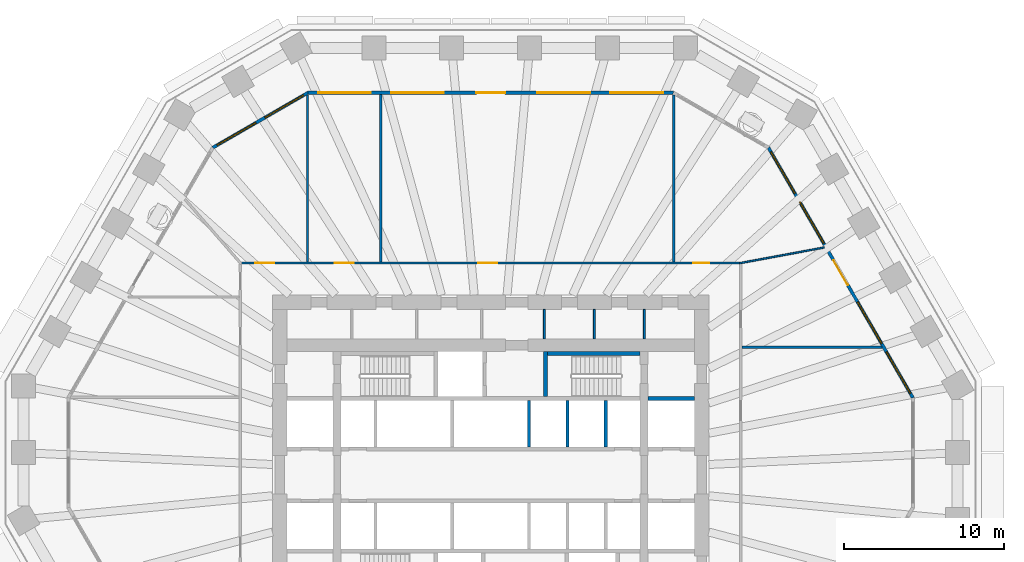
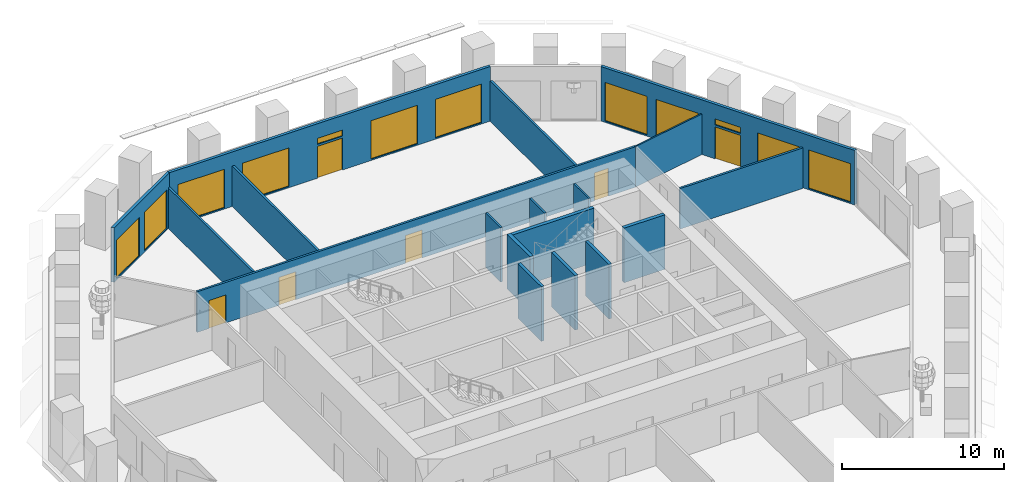
# One storey, part 7 of 12: 18 walls, 12 windows, 6 doors, 18 openings.
"""IFC4 building model written with IfcOpenShell, lengths in metres."""

from ifc_helpers import new_model, si_unit, direction, frame, frame_2d, origin, place, context, subcontext, project, spatial, polyline, rectangle, outline, extrude, material, layer, layer_set, type_object, element, fill, save


model = new_model("IFC4")

# Units and contexts
model_context = context("Model", 3, precision=1e-05, world=origin(), true_north=direction((0.0, 1.0)))
body_context = subcontext(model_context, "Body", "Model", "MODEL_VIEW")
ifc_project = project(units=[si_unit("LENGTHUNIT", "METRE"), si_unit("AREAUNIT", "SQUARE_METRE"), si_unit("VOLUMEUNIT", "CUBIC_METRE"), si_unit("PLANEANGLEUNIT", "RADIAN"), si_unit("MASSUNIT", "GRAM", prefix="KILO")], contexts=[model_context])

# Site, building, storey
site_placement = place(None, origin())
site = spatial("IfcSite", under=ifc_project, at=site_placement, CompositionType="ELEMENT")
building_placement = place(site_placement, origin())
building = spatial("IfcBuilding", under=site, at=building_placement, Name="Frailejon Research Tower", CompositionType="ELEMENT")
storey_placement = place(building_placement, frame((0.0, 0.0, 58.60009765625)))
storey = spatial("IfcBuildingStorey", under=building, at=storey_placement, Name="L13", CompositionType="ELEMENT", Elevation=58.60009765625)

# Walls
ifc_material_1 = material(Name="Plasterboard on steel studs", Category="steel")
ifc_layer_1 = layer(ifc_material_1, 0.125)
ifc_layer_set_1 = layer_set([ifc_layer_1], Name="Core partition 125")
wall_type_1 = type_object("IfcWallType", Name="Core partition 125", PredefinedType="PARTITIONING", material=ifc_layer_set_1)
for number, where, z_axis, x_axis, name in (
    (1, (3.362548828125, 8.5, 0.0), (0.0, 0.0, 1.0), (0.0, 1.0, 0.0), "Core partition"),
    (2, (6.49169921875, 8.5, 0.0), (0.0, 0.0, 1.0), (0.0, 1.0, 0.0), "Core partition"),
    (3, (9.620849609375, 8.5, 0.0), (0.0, 0.0, 1.0), (0.0, 1.0, 0.0), "Core partition"),
):
    element("IfcWall", number, at=place(storey_placement, frame(where, z_axis=z_axis, x_axis=x_axis)), inside=storey, type_object=wall_type_1, Name=name, PredefinedType="PARTITIONING", context=body_context, shape_type="SweptSolid", body=[
        extrude(rectangle(XDim=1.85009765625, YDim=0.125, at=frame_2d((0.925048828125, 0.0))), origin(), (0.0, 0.0, 1.0), 4.099853515625),
    ])

# Wall, openings, doors
ifc_material_2 = material(Name="Gypsum board and masonry partition", Category="masonry")
ifc_layer_2 = layer(ifc_material_2, 0.14990234375)
ifc_layer_set_2 = layer_set([ifc_layer_2], Name="Corridor wall EI 60, gypsum on steel studs 150")
wall_type_2 = type_object("IfcWallType", Name="Corridor wall EI 60, gypsum on steel studs 150", PredefinedType="PARTITIONING", material=ifc_layer_set_2)
wall_1_placement = place(storey_placement, frame((-15.574951171875, 13.25, 0.0), z_axis=(0.0, 0.0, 1.0), x_axis=(1.0, 0.0, 0.0)))
wall_1 = element("IfcWall", 4, at=wall_1_placement, inside=storey, type_object=wall_type_2, Name="T:IW:L13:002", PredefinedType="PARTITIONING", context=body_context, shape_type="SweptSolid", body=[
    extrude(rectangle(XDim=31.175048828125, YDim=0.14990234375, at=frame_2d((15.58740234375, 0.0))), origin(), (0.0, 0.0, 1.0), 3.0498046875),
])
opening_1_placement = place(wall_1_placement, frame((28.251953125, 0.0, 0.0)))
opening_1 = element("IfcOpeningElement", 5, at=opening_1_placement, cuts=wall_1, Name="Opening D1437", PredefinedType="OPENING", context=body_context, shape_type="SweptSolid", body=[
    extrude(rectangle(XDim=1.0, YDim=2.10009765625, at=frame_2d((0.5, 1.050048828125))), frame((0.0, 0.0849609375, 0.0), z_axis=(0.0, -1.0, 0.0), x_axis=(1.0, 0.0, 0.0)), (0.0, 0.0, 1.0), 0.169921875),
])
opening_2_placement = place(wall_1_placement, frame((14.802001953125, 0.0, 0.0)))
opening_2 = element("IfcOpeningElement", 6, at=opening_2_placement, cuts=wall_1, Name="Opening D1438", PredefinedType="OPENING", context=body_context, shape_type="SweptSolid", body=[
    extrude(rectangle(XDim=1.199951171875, YDim=2.10009765625, at=frame_2d((0.60009765625, 1.050048828125))), frame((0.0, 0.0849609375, 0.0), z_axis=(0.0, -1.0, 0.0), x_axis=(1.0, 0.0, 0.0)), (0.0, 0.0, 1.0), 0.169921875),
])
opening_3_placement = place(wall_1_placement, frame((5.8125, 0.0, 0.0)))
opening_3 = element("IfcOpeningElement", 7, at=opening_3_placement, cuts=wall_1, Name="Opening D1439", PredefinedType="OPENING", context=body_context, shape_type="SweptSolid", body=[
    extrude(rectangle(XDim=1.199951171875, YDim=2.10009765625, at=frame_2d((0.60009765625, 1.050048828125))), frame((0.0, 0.0849609375, 0.0), z_axis=(0.0, -1.0, 0.0), x_axis=(1.0, 0.0, 0.0)), (0.0, 0.0, 1.0), 0.169921875),
])
opening_4_placement = place(wall_1_placement, frame((0.84912109375, 0.0, 0.0)))
opening_4 = element("IfcOpeningElement", 8, at=opening_4_placement, cuts=wall_1, Name="Opening D1440", PredefinedType="OPENING", context=body_context, shape_type="SweptSolid", body=[
    extrude(rectangle(XDim=1.199951171875, YDim=2.10009765625, at=frame_2d((0.60009765625, 1.050048828125))), frame((0.0, 0.0849609375, 0.0), z_axis=(0.0, -1.0, 0.0), x_axis=(1.0, 0.0, 0.0)), (0.0, 0.0, 1.0), 0.169921875),
])
ifc_material_3 = material(Name="Timber door leaf", Category="wood")
door_type_1 = type_object("IfcDoorType", Name="Door laboratory, timber, vision panel 1200", OperationType="NOTDEFINED", PredefinedType="DOOR", material=ifc_material_3)
door_1_placement = place(opening_2_placement, origin())
door_1 = element("IfcDoor", 9, at=door_1_placement, inside=storey, type_object=door_type_1, Name="D1438", OperationType="DOUBLE_DOOR_SINGLE_SWING", OverallHeight=2.10009765625, OverallWidth=1.199951171875, PredefinedType="DOOR", context=body_context, shape_type="SweptSolid", body=[
    extrude(rectangle(XDim=1.199951171875, YDim=2.10009765625, at=frame_2d((0.60009765625, 1.050048828125))), frame((0.0, 0.02490234375, 0.0), z_axis=(0.0, -1.0, 0.0), x_axis=(1.0, 0.0, 0.0)), (0.0, 0.0, 1.0), 0.050048828125),
])
fill(opening_2, door_1)
door_2_placement = place(opening_3_placement, origin())
door_2 = element("IfcDoor", 10, at=door_2_placement, inside=storey, type_object=door_type_1, Name="D1439", OperationType="DOUBLE_DOOR_SINGLE_SWING", OverallHeight=2.10009765625, OverallWidth=1.199951171875, PredefinedType="DOOR", context=body_context, shape_type="SweptSolid", body=[
    extrude(rectangle(XDim=1.199951171875, YDim=2.10009765625, at=frame_2d((0.60009765625, 1.050048828125))), frame((0.0, 0.02490234375, 0.0), z_axis=(0.0, -1.0, 0.0), x_axis=(1.0, 0.0, 0.0)), (0.0, 0.0, 1.0), 0.050048828125),
])
fill(opening_3, door_2)
door_3_placement = place(opening_4_placement, origin())
door_3 = element("IfcDoor", 11, at=door_3_placement, inside=storey, type_object=door_type_1, Name="D1440", OperationType="DOUBLE_DOOR_SINGLE_SWING", OverallHeight=2.10009765625, OverallWidth=1.199951171875, PredefinedType="DOOR", context=body_context, shape_type="SweptSolid", body=[
    extrude(rectangle(XDim=1.199951171875, YDim=2.10009765625, at=frame_2d((0.60009765625, 1.050048828125))), frame((0.0, 0.02490234375, 0.0), z_axis=(0.0, -1.0, 0.0), x_axis=(1.0, 0.0, 0.0)), (0.0, 0.0, 1.0), 0.050048828125),
])
fill(opening_4, door_3)
ifc_material_4 = material(Name="Timber door leaf", Category="wood")
door_type_2 = type_object("IfcDoorType", Name="Door single leaf, timber, steel frame 1000", OperationType="NOTDEFINED", PredefinedType="DOOR", material=ifc_material_4)
door_4_placement = place(opening_1_placement, origin())
door_4 = element("IfcDoor", 12, at=door_4_placement, inside=storey, type_object=door_type_2, Name="D1437", OperationType="SINGLE_SWING_LEFT", OverallHeight=2.10009765625, OverallWidth=1.0, PredefinedType="DOOR", context=body_context, shape_type="SweptSolid", body=[
    extrude(rectangle(XDim=1.0, YDim=2.10009765625, at=frame_2d((0.5, 1.050048828125))), frame((0.0, 0.02490234375, 0.0), z_axis=(0.0, -1.0, 0.0), x_axis=(1.0, 0.0, 0.0)), (0.0, 0.0, 1.0), 0.050048828125),
])
fill(opening_1, door_4)

# Walls
ifc_material_5 = material(Name="Gypsum board and masonry partition", Category="masonry")
ifc_layer_3 = layer(ifc_material_5, 0.14990234375)
ifc_layer_set_3 = layer_set([ifc_layer_3], Name="Laboratory partition, blockwork 150")
wall_type_3 = type_object("IfcWallType", Name="Laboratory partition, blockwork 150", PredefinedType="PARTITIONING", material=ifc_layer_set_3)
wall_2_placement = place(storey_placement, frame((15.72509765625, 7.984619140625, 0.0), z_axis=(0.0, 0.0, 1.0), x_axis=(1.0, 0.0, 0.0)))
element("IfcWall", 13, at=wall_2_placement, inside=storey, type_object=wall_type_3, Name="T:IW:L13:005", PredefinedType="PARTITIONING", context=body_context, shape_type="SweptSolid", body=[
    extrude(rectangle(XDim=8.743408203125, YDim=0.14990234375, at=frame_2d((4.37158203125, 0.0))), origin(), (0.0, 0.0, 1.0), 3.0498046875),
])
wall_3_placement = place(storey_placement, frame((11.453125, 13.324951171875, 0.0), z_axis=(0.0, 0.0, 1.0), x_axis=(0.0, 1.0, 0.0)))
element("IfcWall", 14, at=wall_3_placement, inside=storey, type_object=wall_type_3, Name="T:IW:L13:007", PredefinedType="PARTITIONING", context=body_context, shape_type="SweptSolid", body=[
    extrude(rectangle(XDim=10.444091796875, YDim=0.14990234375, at=frame_2d((5.22216796875, 0.0))), origin(), (0.0, 0.0, 1.0), 3.0498046875),
])
wall_4_placement = place(storey_placement, frame((-6.871826171875, 13.324951171875, 0.0), z_axis=(0.0, 0.0, 1.0), x_axis=(0.0, 1.0, 0.0)))
element("IfcWall", 15, at=wall_4_placement, inside=storey, type_object=wall_type_3, Name="T:IW:L13:008", PredefinedType="PARTITIONING", context=body_context, shape_type="SweptSolid", body=[
    extrude(rectangle(XDim=10.47509765625, YDim=0.14990234375, at=frame_2d((5.237548828125, 0.0))), origin(), (0.0, 0.0, 1.0), 3.0498046875),
])
wall_5_placement = place(storey_placement, frame((-11.453125, 13.324951171875, 0.0), z_axis=(0.0, 0.0, 1.0), x_axis=(0.0, 1.0, 0.0)))
element("IfcWall", 16, at=wall_5_placement, inside=storey, type_object=wall_type_3, Name="T:IW:L13:009", PredefinedType="PARTITIONING", context=body_context, shape_type="SweptSolid", body=[
    extrude(rectangle(XDim=10.444091796875, YDim=0.14990234375, at=frame_2d((5.22216796875, 0.0))), origin(), (0.0, 0.0, 1.0), 3.0498046875),
])
ifc_material_6 = material(Name="Gypsum board and masonry partition", Category="masonry")
ifc_layer_4 = layer(ifc_material_6, 0.10009765625)
ifc_layer_set_4 = layer_set([ifc_layer_4], Name="Partition, gypsum on steel studs 100")
wall_type_4 = type_object("IfcWallType", Name="Partition, gypsum on steel studs 100", PredefinedType="PARTITIONING", material=ifc_layer_set_4)
wall_6_placement = place(storey_placement, frame((15.576416015625, 13.236328125, 0.0), z_axis=(0.0, 0.0, 1.0), x_axis=(0.983108608108, 0.183023126037, 0.0)))
element("IfcWall", 17, at=wall_6_placement, inside=storey, type_object=wall_type_4, Name="T:IW:L13:016", PredefinedType="PARTITIONING", context=body_context, shape_type="SweptSolid", body=[
    extrude(rectangle(XDim=5.38232421875, YDim=0.10009765625, at=frame_2d((2.691162109375, 0.0))), origin(), (0.0, 0.0, 1.0), 3.0498046875),
])
ifc_material_7 = material(Name="Concrete C70/85", Category="concrete")
ifc_layer_5 = layer(ifc_material_7, 0.199951171875)
ifc_layer_set_5 = layer_set([ifc_layer_5], Name="Shaft wall 200 C70/85")
wall_type_5 = type_object("IfcWallType", Name="Shaft wall 200 C70/85", PredefinedType="SOLIDWALL", material=ifc_layer_set_5)
for number, where, z_axis, x_axis, name in (
    (18, (2.39990234375, 1.75, 0.0), (0.0, 0.0, 1.0), (0.0, 1.0, 0.0), "Shaft wall"),
    (19, (4.800048828125, 1.75, 0.0), (0.0, 0.0, 1.0), (0.0, 1.0, 0.0), "Shaft wall"),
    (20, (7.199951171875, 1.75, 0.0), (0.0, 0.0, 1.0), (0.0, 1.0, 0.0), "Shaft wall"),
):
    element("IfcWall", number, at=place(storey_placement, frame(where, z_axis=z_axis, x_axis=x_axis)), inside=storey, type_object=wall_type_5, Name=name, PredefinedType="SOLIDWALL", context=body_context, shape_type="SweptSolid", body=[
        extrude(rectangle(XDim=2.89990234375, YDim=0.199951171875, at=frame_2d((1.449951171875, 0.0))), origin(), (0.0, 0.0, 1.0), 4.099853515625),
    ])
ifc_material_8 = material(Name="Concrete C70/85", Category="concrete")
ifc_layer_6 = layer(ifc_material_8, 0.25)
ifc_layer_set_6 = layer_set([ifc_layer_6], Name="Shaft wall 250 C70/85")
wall_type_6 = type_object("IfcWallType", Name="Shaft wall 250 C70/85", PredefinedType="SOLIDWALL", material=ifc_layer_set_6)
wall_7_placement = place(storey_placement, frame((9.85009765625, 4.77490234375, 0.0), z_axis=(0.0, 0.0, 1.0), x_axis=(1.0, 0.0, 0.0)))
element("IfcWall", 21, at=wall_7_placement, inside=storey, type_object=wall_type_6, Name="Shaft wall", PredefinedType="SOLIDWALL", context=body_context, shape_type="SweptSolid", body=[
    extrude(rectangle(XDim=2.89990234375, YDim=0.25, at=frame_2d((1.449951171875, 0.0))), origin(), (0.0, 0.0, 1.0), 4.099853515625),
])
wall_8_placement = place(storey_placement, frame((3.550048828125, 7.574951171875, 0.0), z_axis=(0.0, 0.0, 1.0), x_axis=(1.0, 0.0, 0.0)))
element("IfcWall", 22, at=wall_8_placement, inside=storey, type_object=wall_type_6, Name="Shaft wall", PredefinedType="SOLIDWALL", context=body_context, shape_type="SweptSolid", body=[
    extrude(rectangle(XDim=5.800048828125, YDim=0.25, at=frame_2d((2.89990234375, 0.0))), origin(), (0.0, 0.0, 1.0), 4.099853515625),
])
wall_9_placement = place(storey_placement, frame((3.425048828125, 4.89990234375, 0.0), z_axis=(0.0, 0.0, 1.0), x_axis=(0.0, 1.0, 0.0)))
element("IfcWall", 23, at=wall_9_placement, inside=storey, type_object=wall_type_6, Name="Shaft wall", PredefinedType="SOLIDWALL", context=body_context, shape_type="SweptSolid", body=[
    extrude(rectangle(XDim=2.800048828125, YDim=0.25, at=frame_2d((1.39990234375, 0.0))), origin(), (0.0, 0.0, 1.0), 4.099853515625),
])

# Wall, openings, door, windows
ifc_material_9 = material(Name="Concrete C40/50 precast window wall panel", Category="concrete")
ifc_layer_7 = layer(ifc_material_9, 0.199951171875)
ifc_layer_set_7 = layer_set([ifc_layer_7], Name="Window wall 200")
wall_type_7 = type_object("IfcWallType", Name="Window wall 200", PredefinedType="SOLIDWALL", material=ifc_layer_set_7)
wall_10_placement = place(storey_placement, frame((26.4111328125, 4.820068359375, 0.0), z_axis=(0.0, 0.0, 1.0), x_axis=(-0.500000137386, 0.866025324465, 0.0)))
wall_10 = element("IfcWall", 24, at=wall_10_placement, inside=storey, type_object=wall_type_7, Name="Exterior wall L13", PredefinedType="SOLIDWALL", context=body_context, shape_type="SweptSolid", body=[
    extrude(outline(polyline([(-0.02685546875, -0.10009765625), (0.9794921875, -0.10009765625), (1.986083984375, -0.10009765625), (2.992431640625, -0.10009765625), (3.9990234375, -0.10009765625), (5.00537109375, -0.10009765625), (6.011962890625, -0.10009765625), (7.018310546875, -0.10009765625), (8.02490234375, -0.10009765625), (9.03125, -0.10009765625), (10.03759765625, -0.10009765625), (11.044189453125, -0.10009765625), (12.050537109375, -0.10009765625), (13.05712890625, -0.10009765625), (14.0634765625, -0.10009765625), (15.070068359375, -0.10009765625), (16.076416015625, -0.10009765625), (17.0830078125, -0.10009765625), (18.08935546875, -0.10009765625), (18.03564453125, 0.10009765625), (17.03515625, 0.10009765625), (16.03466796875, 0.10009765625), (15.0341796875, 0.10009765625), (14.03369140625, 0.10009765625), (13.033203125, 0.10009765625), (12.03271484375, 0.10009765625), (11.0322265625, 0.10009765625), (10.03173828125, 0.10009765625), (9.03125, 0.10009765625), (8.03076171875, 0.10009765625), (7.0302734375, 0.10009765625), (6.02978515625, 0.10009765625), (5.029296875, 0.10009765625), (4.02880859375, 0.10009765625), (3.0283203125, 0.10009765625), (2.02783203125, 0.10009765625), (1.02734375, 0.10009765625), (0.02685546875, 0.10009765625), (-0.02685546875, -0.10009765625)])), origin(), (0.0, 0.0, 1.0), 4.099853515625),
])
opening_5_placement = place(wall_10_placement, frame((0.306396484375, 0.0, 0.10009765625)))
opening_5 = element("IfcOpeningElement", 25, at=opening_5_placement, cuts=wall_10, Name="Opening W4", PredefinedType="OPENING", context=body_context, shape_type="SweptSolid", body=[
    extrude(rectangle(XDim=3.0, YDim=2.89990234375, at=frame_2d((1.5, 1.449951171875))), frame((0.0, 0.10986328125, 0.0), z_axis=(0.0, -1.0, 0.0), x_axis=(1.0, 0.0, 0.0)), (0.0, 0.0, 1.0), 0.219970703125),
])
opening_6_placement = place(wall_10_placement, frame((3.918701171875, 0.0, 0.10009765625)))
opening_6 = element("IfcOpeningElement", 26, at=opening_6_placement, cuts=wall_10, Name="Opening W4", PredefinedType="OPENING", context=body_context, shape_type="SweptSolid", body=[
    extrude(rectangle(XDim=3.0, YDim=2.89990234375, at=frame_2d((1.5, 1.449951171875))), frame((0.0, 0.10986328125, 0.0), z_axis=(0.0, -1.0, 0.0), x_axis=(1.0, 0.0, 0.0)), (0.0, 0.0, 1.0), 0.219970703125),
])
opening_7_placement = place(wall_10_placement, frame((8.13134765625, 0.0, 0.0)))
opening_7 = element("IfcOpeningElement", 27, at=opening_7_placement, cuts=wall_10, Name="Opening LG13-1", PredefinedType="OPENING", context=body_context, shape_type="SweptSolid", body=[
    extrude(rectangle(XDim=1.800048828125, YDim=2.39990234375, at=frame_2d((0.89990234375, 1.199951171875))), frame((0.0, 0.10986328125, 0.0), z_axis=(0.0, -1.0, 0.0), x_axis=(1.0, 0.0, 0.0)), (0.0, 0.0, 1.0), 0.219970703125),
])
opening_8_placement = place(wall_10_placement, frame((8.13134765625, 0.0, 2.550048828125)))
opening_8 = element("IfcOpeningElement", 28, at=opening_8_placement, cuts=wall_10, Name="Opening W1", PredefinedType="OPENING", context=body_context, shape_type="SweptSolid", body=[
    extrude(rectangle(XDim=1.800048828125, YDim=0.449951171875, at=frame_2d((0.89990234375, 0.22509765625))), frame((0.0, 0.10986328125, 0.0), z_axis=(0.0, -1.0, 0.0), x_axis=(1.0, 0.0, 0.0)), (0.0, 0.0, 1.0), 0.219970703125),
])
opening_9_placement = place(wall_10_placement, frame((11.143798828125, 0.0, 0.10009765625)))
opening_9 = element("IfcOpeningElement", 29, at=opening_9_placement, cuts=wall_10, Name="Opening W4", PredefinedType="OPENING", context=body_context, shape_type="SweptSolid", body=[
    extrude(rectangle(XDim=3.0, YDim=2.89990234375, at=frame_2d((1.5, 1.449951171875))), frame((0.0, 0.10986328125, 0.0), z_axis=(0.0, -1.0, 0.0), x_axis=(1.0, 0.0, 0.0)), (0.0, 0.0, 1.0), 0.219970703125),
])
opening_10_placement = place(wall_10_placement, frame((14.75634765625, 0.0, 0.10009765625)))
opening_10 = element("IfcOpeningElement", 30, at=opening_10_placement, cuts=wall_10, Name="Opening W4", PredefinedType="OPENING", context=body_context, shape_type="SweptSolid", body=[
    extrude(rectangle(XDim=3.0, YDim=2.89990234375, at=frame_2d((1.5, 1.449951171875))), frame((0.0, 0.10986328125, 0.0), z_axis=(0.0, -1.0, 0.0), x_axis=(1.0, 0.0, 0.0)), (0.0, 0.0, 1.0), 0.219970703125),
])
ifc_material_10 = material(Name="Aluminium framed glazed door leaf", Category="aluminium")
door_type_3 = type_object("IfcDoorType", Name="Loggia door 1800x2400", OperationType="DOUBLE_DOOR_SINGLE_SWING", PredefinedType="DOOR", material=ifc_material_10)
door_5_placement = place(opening_7_placement, origin())
door_5 = element("IfcDoor", 31, at=door_5_placement, inside=storey, type_object=door_type_3, Name="Door LG13-1", OperationType="DOUBLE_DOOR_SINGLE_SWING", OverallHeight=2.39990234375, OverallWidth=1.800048828125, PredefinedType="DOOR", context=body_context, shape_type="SweptSolid", body=[
    extrude(rectangle(XDim=1.800048828125, YDim=2.39990234375, at=frame_2d((0.89990234375, 1.199951171875))), frame((0.0, 0.02490234375, 0.0), z_axis=(0.0, -1.0, 0.0), x_axis=(1.0, 0.0, 0.0)), (0.0, 0.0, 1.0), 0.050048828125),
])
fill(opening_7, door_5)
ifc_material_11 = material(Name="Aluminium framed double glazing", Category="aluminium")
window_type_1 = type_object("IfcWindowType", Name="Window 1800x450", PartitioningType="SINGLE_PANEL", PredefinedType="WINDOW", material=ifc_material_11)
window_1_placement = place(opening_8_placement, origin())
window_1 = element("IfcWindow", 32, at=window_1_placement, inside=storey, type_object=window_type_1, Name="Window L13", OverallHeight=0.449951171875, OverallWidth=1.800048828125, PartitioningType="SINGLE_PANEL", PredefinedType="WINDOW", context=body_context, shape_type="SweptSolid", body=[
    extrude(rectangle(XDim=1.800048828125, YDim=0.449951171875, at=frame_2d((0.89990234375, 0.22509765625))), frame((0.0, 0.030029296875, 0.0), z_axis=(0.0, -1.0, 0.0), x_axis=(1.0, 0.0, 0.0)), (0.0, 0.0, 1.0), 0.06005859375),
])
fill(opening_8, window_1)
ifc_material_12 = material(Name="Aluminium framed double glazing", Category="aluminium")
window_type_2 = type_object("IfcWindowType", Name="Window 3000x2900", PartitioningType="SINGLE_PANEL", PredefinedType="WINDOW", material=ifc_material_12)
window_2_placement = place(opening_5_placement, origin())
window_2 = element("IfcWindow", 33, at=window_2_placement, inside=storey, type_object=window_type_2, Name="Window L13", OverallHeight=2.89990234375, OverallWidth=3.0, PartitioningType="SINGLE_PANEL", PredefinedType="WINDOW", context=body_context, shape_type="SweptSolid", body=[
    extrude(rectangle(XDim=3.0, YDim=2.89990234375, at=frame_2d((1.5, 1.449951171875))), frame((0.0, 0.030029296875, 0.0), z_axis=(0.0, -1.0, 0.0), x_axis=(1.0, 0.0, 0.0)), (0.0, 0.0, 1.0), 0.06005859375),
])
fill(opening_5, window_2)
window_3_placement = place(opening_6_placement, origin())
window_3 = element("IfcWindow", 34, at=window_3_placement, inside=storey, type_object=window_type_2, Name="Window L13", OverallHeight=2.89990234375, OverallWidth=3.0, PartitioningType="SINGLE_PANEL", PredefinedType="WINDOW", context=body_context, shape_type="SweptSolid", body=[
    extrude(rectangle(XDim=3.0, YDim=2.89990234375, at=frame_2d((1.5, 1.449951171875))), frame((0.0, 0.030029296875, 0.0), z_axis=(0.0, -1.0, 0.0), x_axis=(1.0, 0.0, 0.0)), (0.0, 0.0, 1.0), 0.06005859375),
])
fill(opening_6, window_3)
window_4_placement = place(opening_9_placement, origin())
window_4 = element("IfcWindow", 35, at=window_4_placement, inside=storey, type_object=window_type_2, Name="Window L13", OverallHeight=2.89990234375, OverallWidth=3.0, PartitioningType="SINGLE_PANEL", PredefinedType="WINDOW", context=body_context, shape_type="SweptSolid", body=[
    extrude(rectangle(XDim=3.0, YDim=2.89990234375, at=frame_2d((1.5, 1.449951171875))), frame((0.0, 0.030029296875, 0.0), z_axis=(0.0, -1.0, 0.0), x_axis=(1.0, 0.0, 0.0)), (0.0, 0.0, 1.0), 0.06005859375),
])
fill(opening_9, window_4)
window_5_placement = place(opening_10_placement, origin())
window_5 = element("IfcWindow", 36, at=window_5_placement, inside=storey, type_object=window_type_2, Name="Window L13", OverallHeight=2.89990234375, OverallWidth=3.0, PartitioningType="SINGLE_PANEL", PredefinedType="WINDOW", context=body_context, shape_type="SweptSolid", body=[
    extrude(rectangle(XDim=3.0, YDim=2.89990234375, at=frame_2d((1.5, 1.449951171875))), frame((0.0, 0.030029296875, 0.0), z_axis=(0.0, -1.0, 0.0), x_axis=(1.0, 0.0, 0.0)), (0.0, 0.0, 1.0), 0.06005859375),
])
fill(opening_10, window_5)

wall_11_placement = place(storey_placement, frame((11.42626953125, 23.89990234375, 0.0), z_axis=(0.0, 0.0, 1.0), x_axis=(-1.0, 0.0, 0.0)))
wall_11 = element("IfcWall", 37, at=wall_11_placement, inside=storey, type_object=wall_type_7, Name="Exterior wall L13", PredefinedType="SOLIDWALL", context=body_context, shape_type="SweptSolid", body=[
    extrude(outline(polyline([(-0.02685546875, -0.10009765625), (1.014404296875, -0.10009765625), (2.055419921875, -0.10009765625), (3.0966796875, -0.10009765625), (4.137939453125, -0.10009765625), (5.17919921875, -0.10009765625), (6.22021484375, -0.10009765625), (7.261474609375, -0.10009765625), (8.302734375, -0.10009765625), (9.343994140625, -0.10009765625), (10.385009765625, -0.10009765625), (11.42626953125, -0.10009765625), (12.467529296875, -0.10009765625), (13.508544921875, -0.10009765625), (14.5498046875, -0.10009765625), (15.591064453125, -0.10009765625), (16.63232421875, -0.10009765625), (17.67333984375, -0.10009765625), (18.714599609375, -0.10009765625), (19.755859375, -0.10009765625), (20.797119140625, -0.10009765625), (21.838134765625, -0.10009765625), (22.87939453125, -0.10009765625), (22.82568359375, 0.10009765625), (21.789306640625, 0.10009765625), (20.753173828125, 0.10009765625), (19.716796875, 0.10009765625), (18.680419921875, 0.10009765625), (17.64404296875, 0.10009765625), (16.60791015625, 0.10009765625), (15.571533203125, 0.10009765625), (14.53515625, 0.10009765625), (13.498779296875, 0.10009765625), (12.462646484375, 0.10009765625), (11.42626953125, 0.10009765625), (10.389892578125, 0.10009765625), (9.353759765625, 0.10009765625), (8.3173828125, 0.10009765625), (7.281005859375, 0.10009765625), (6.24462890625, 0.10009765625), (5.20849609375, 0.10009765625), (4.172119140625, 0.10009765625), (3.1357421875, 0.10009765625), (2.099365234375, 0.10009765625), (1.063232421875, 0.10009765625), (0.02685546875, 0.10009765625), (-0.02685546875, -0.10009765625)])), origin(), (0.0, 0.0, 1.0), 4.099853515625),
])
opening_11_placement = place(wall_11_placement, frame((0.63525390625, 0.0, 0.10009765625)))
opening_11 = element("IfcOpeningElement", 38, at=opening_11_placement, cuts=wall_11, Name="Opening W5", PredefinedType="OPENING", context=body_context, shape_type="SweptSolid", body=[
    extrude(rectangle(XDim=3.300048828125, YDim=2.89990234375, at=frame_2d((1.64990234375, 1.449951171875))), frame((0.0, 0.10986328125, 0.0), z_axis=(0.0, -1.0, 0.0), x_axis=(1.0, 0.0, 0.0)), (0.0, 0.0, 1.0), 0.219970703125),
])
opening_12_placement = place(wall_11_placement, frame((5.205810546875, 0.0, 0.10009765625)))
opening_12 = element("IfcOpeningElement", 39, at=opening_12_placement, cuts=wall_11, Name="Opening W5", PredefinedType="OPENING", context=body_context, shape_type="SweptSolid", body=[
    extrude(rectangle(XDim=3.300048828125, YDim=2.89990234375, at=frame_2d((1.64990234375, 1.449951171875))), frame((0.0, 0.10986328125, 0.0), z_axis=(0.0, -1.0, 0.0), x_axis=(1.0, 0.0, 0.0)), (0.0, 0.0, 1.0), 0.219970703125),
])
opening_13_placement = place(wall_11_placement, frame((10.5263671875, 0.0, 0.0)))
opening_13 = element("IfcOpeningElement", 40, at=opening_13_placement, cuts=wall_11, Name="Opening LG13-2", PredefinedType="OPENING", context=body_context, shape_type="SweptSolid", body=[
    extrude(rectangle(XDim=1.800048828125, YDim=2.39990234375, at=frame_2d((0.89990234375, 1.199951171875))), frame((0.0, 0.10986328125, 0.0), z_axis=(0.0, -1.0, 0.0), x_axis=(1.0, 0.0, 0.0)), (0.0, 0.0, 1.0), 0.219970703125),
])
opening_14_placement = place(wall_11_placement, frame((10.5263671875, 0.0, 2.550048828125)))
opening_14 = element("IfcOpeningElement", 41, at=opening_14_placement, cuts=wall_11, Name="Opening W1", PredefinedType="OPENING", context=body_context, shape_type="SweptSolid", body=[
    extrude(rectangle(XDim=1.800048828125, YDim=0.449951171875, at=frame_2d((0.89990234375, 0.22509765625))), frame((0.0, 0.10986328125, 0.0), z_axis=(0.0, -1.0, 0.0), x_axis=(1.0, 0.0, 0.0)), (0.0, 0.0, 1.0), 0.219970703125),
])
opening_15_placement = place(wall_11_placement, frame((14.3466796875, 0.0, 0.10009765625)))
opening_15 = element("IfcOpeningElement", 42, at=opening_15_placement, cuts=wall_11, Name="Opening W5", PredefinedType="OPENING", context=body_context, shape_type="SweptSolid", body=[
    extrude(rectangle(XDim=3.300048828125, YDim=2.89990234375, at=frame_2d((1.64990234375, 1.449951171875))), frame((0.0, 0.10986328125, 0.0), z_axis=(0.0, -1.0, 0.0), x_axis=(1.0, 0.0, 0.0)), (0.0, 0.0, 1.0), 0.219970703125),
])
opening_16_placement = place(wall_11_placement, frame((18.917236328125, 0.0, 0.10009765625)))
opening_16 = element("IfcOpeningElement", 43, at=opening_16_placement, cuts=wall_11, Name="Opening W5", PredefinedType="OPENING", context=body_context, shape_type="SweptSolid", body=[
    extrude(rectangle(XDim=3.300048828125, YDim=2.89990234375, at=frame_2d((1.64990234375, 1.449951171875))), frame((0.0, 0.10986328125, 0.0), z_axis=(0.0, -1.0, 0.0), x_axis=(1.0, 0.0, 0.0)), (0.0, 0.0, 1.0), 0.219970703125),
])
door_6_placement = place(opening_13_placement, origin())
door_6 = element("IfcDoor", 44, at=door_6_placement, inside=storey, type_object=door_type_3, Name="Door LG13-2", OperationType="DOUBLE_DOOR_SINGLE_SWING", OverallHeight=2.39990234375, OverallWidth=1.800048828125, PredefinedType="DOOR", context=body_context, shape_type="SweptSolid", body=[
    extrude(rectangle(XDim=1.800048828125, YDim=2.39990234375, at=frame_2d((0.89990234375, 1.199951171875))), frame((0.0, 0.02490234375, 0.0), z_axis=(0.0, -1.0, 0.0), x_axis=(1.0, 0.0, 0.0)), (0.0, 0.0, 1.0), 0.050048828125),
])
fill(opening_13, door_6)
window_6_placement = place(opening_14_placement, origin())
window_6 = element("IfcWindow", 45, at=window_6_placement, inside=storey, type_object=window_type_1, Name="Window L13", OverallHeight=0.449951171875, OverallWidth=1.800048828125, PartitioningType="SINGLE_PANEL", PredefinedType="WINDOW", context=body_context, shape_type="SweptSolid", body=[
    extrude(rectangle(XDim=1.800048828125, YDim=0.449951171875, at=frame_2d((0.89990234375, 0.22509765625))), frame((0.0, 0.030029296875, 0.0), z_axis=(0.0, -1.0, 0.0), x_axis=(1.0, 0.0, 0.0)), (0.0, 0.0, 1.0), 0.06005859375),
])
fill(opening_14, window_6)
ifc_material_13 = material(Name="Aluminium framed double glazing", Category="aluminium")
window_type_3 = type_object("IfcWindowType", Name="Window 3300x2900", PartitioningType="SINGLE_PANEL", PredefinedType="WINDOW", material=ifc_material_13)
window_7_placement = place(opening_11_placement, origin())
window_7 = element("IfcWindow", 46, at=window_7_placement, inside=storey, type_object=window_type_3, Name="Window L13", OverallHeight=2.89990234375, OverallWidth=3.300048828125, PartitioningType="SINGLE_PANEL", PredefinedType="WINDOW", context=body_context, shape_type="SweptSolid", body=[
    extrude(rectangle(XDim=3.300048828125, YDim=2.89990234375, at=frame_2d((1.64990234375, 1.449951171875))), frame((0.0, 0.030029296875, 0.0), z_axis=(0.0, -1.0, 0.0), x_axis=(1.0, 0.0, 0.0)), (0.0, 0.0, 1.0), 0.06005859375),
])
fill(opening_11, window_7)
window_8_placement = place(opening_12_placement, origin())
window_8 = element("IfcWindow", 47, at=window_8_placement, inside=storey, type_object=window_type_3, Name="Window L13", OverallHeight=2.89990234375, OverallWidth=3.300048828125, PartitioningType="SINGLE_PANEL", PredefinedType="WINDOW", context=body_context, shape_type="SweptSolid", body=[
    extrude(rectangle(XDim=3.300048828125, YDim=2.89990234375, at=frame_2d((1.64990234375, 1.449951171875))), frame((0.0, 0.030029296875, 0.0), z_axis=(0.0, -1.0, 0.0), x_axis=(1.0, 0.0, 0.0)), (0.0, 0.0, 1.0), 0.06005859375),
])
fill(opening_12, window_8)
window_9_placement = place(opening_15_placement, origin())
window_9 = element("IfcWindow", 48, at=window_9_placement, inside=storey, type_object=window_type_3, Name="Window L13", OverallHeight=2.89990234375, OverallWidth=3.300048828125, PartitioningType="SINGLE_PANEL", PredefinedType="WINDOW", context=body_context, shape_type="SweptSolid", body=[
    extrude(rectangle(XDim=3.300048828125, YDim=2.89990234375, at=frame_2d((1.64990234375, 1.449951171875))), frame((0.0, 0.030029296875, 0.0), z_axis=(0.0, -1.0, 0.0), x_axis=(1.0, 0.0, 0.0)), (0.0, 0.0, 1.0), 0.06005859375),
])
fill(opening_15, window_9)
window_10_placement = place(opening_16_placement, origin())
window_10 = element("IfcWindow", 49, at=window_10_placement, inside=storey, type_object=window_type_3, Name="Window L13", OverallHeight=2.89990234375, OverallWidth=3.300048828125, PartitioningType="SINGLE_PANEL", PredefinedType="WINDOW", context=body_context, shape_type="SweptSolid", body=[
    extrude(rectangle(XDim=3.300048828125, YDim=2.89990234375, at=frame_2d((1.64990234375, 1.449951171875))), frame((0.0, 0.030029296875, 0.0), z_axis=(0.0, -1.0, 0.0), x_axis=(1.0, 0.0, 0.0)), (0.0, 0.0, 1.0), 0.06005859375),
])
fill(opening_16, window_10)

# Wall, openings, windows
wall_12_placement = place(storey_placement, frame((-11.42626953125, 23.89990234375, 0.0), z_axis=(0.0, 0.0, 1.0), x_axis=(-0.866029458321, -0.49999297727, 0.0)))
wall_12 = element("IfcWall", 50, at=wall_12_placement, inside=storey, type_object=wall_type_7, Name="Exterior wall L13", PredefinedType="SOLIDWALL", context=body_context, shape_type="SweptSolid", body=[
    extrude(outline(polyline([(-0.02685546875, -0.10009765625), (1.1279296875, -0.10009765625), (2.282470703125, -0.10009765625), (3.437255859375, -0.10009765625), (4.592041015625, -0.10009765625), (5.74658203125, -0.10009765625), (6.9013671875, -0.10009765625), (6.84765625, 0.10009765625), (5.7109375, 0.10009765625), (4.573974609375, 0.10009765625), (3.437255859375, 0.10009765625), (2.300537109375, 0.10009765625), (1.16357421875, 0.10009765625), (0.02685546875, 0.10009765625), (-0.02685546875, -0.10009765625)])), origin(), (0.0, 0.0, 1.0), 4.099853515625),
])
opening_17_placement = place(wall_12_placement, frame((0.318603515625, 0.0, 0.10009765625)))
opening_17 = element("IfcOpeningElement", 51, at=opening_17_placement, cuts=wall_12, Name="Opening W3", PredefinedType="OPENING", context=body_context, shape_type="SweptSolid", body=[
    extrude(rectangle(XDim=2.800048828125, YDim=2.89990234375, at=frame_2d((1.39990234375, 1.449951171875))), frame((0.0, 0.10986328125, 0.0), z_axis=(0.0, -1.0, 0.0), x_axis=(1.0, 0.0, 0.0)), (0.0, 0.0, 1.0), 0.219970703125),
])
opening_18_placement = place(wall_12_placement, frame((3.756103515625, 0.0, 0.10009765625)))
opening_18 = element("IfcOpeningElement", 52, at=opening_18_placement, cuts=wall_12, Name="Opening W3", PredefinedType="OPENING", context=body_context, shape_type="SweptSolid", body=[
    extrude(rectangle(XDim=2.800048828125, YDim=2.89990234375, at=frame_2d((1.39990234375, 1.449951171875))), frame((0.0, 0.10986328125, 0.0), z_axis=(0.0, -1.0, 0.0), x_axis=(1.0, 0.0, 0.0)), (0.0, 0.0, 1.0), 0.219970703125),
])
ifc_material_14 = material(Name="Aluminium framed double glazing", Category="aluminium")
window_type_4 = type_object("IfcWindowType", Name="Window 2800x2900", PartitioningType="SINGLE_PANEL", PredefinedType="WINDOW", material=ifc_material_14)
window_11_placement = place(opening_17_placement, origin())
window_11 = element("IfcWindow", 53, at=window_11_placement, inside=storey, type_object=window_type_4, Name="Window L13", OverallHeight=2.89990234375, OverallWidth=2.800048828125, PartitioningType="SINGLE_PANEL", PredefinedType="WINDOW", context=body_context, shape_type="SweptSolid", body=[
    extrude(rectangle(XDim=2.800048828125, YDim=2.89990234375, at=frame_2d((1.39990234375, 1.449951171875))), frame((0.0, 0.030029296875, 0.0), z_axis=(0.0, -1.0, 0.0), x_axis=(1.0, 0.0, 0.0)), (0.0, 0.0, 1.0), 0.06005859375),
])
fill(opening_17, window_11)
window_12_placement = place(opening_18_placement, origin())
window_12 = element("IfcWindow", 54, at=window_12_placement, inside=storey, type_object=window_type_4, Name="Window L13", OverallHeight=2.89990234375, OverallWidth=2.800048828125, PartitioningType="SINGLE_PANEL", PredefinedType="WINDOW", context=body_context, shape_type="SweptSolid", body=[
    extrude(rectangle(XDim=2.800048828125, YDim=2.89990234375, at=frame_2d((1.39990234375, 1.449951171875))), frame((0.0, 0.030029296875, 0.0), z_axis=(0.0, -1.0, 0.0), x_axis=(1.0, 0.0, 0.0)), (0.0, 0.0, 1.0), 0.06005859375),
])
fill(opening_18, window_12)

save(model, "model.ifc")
